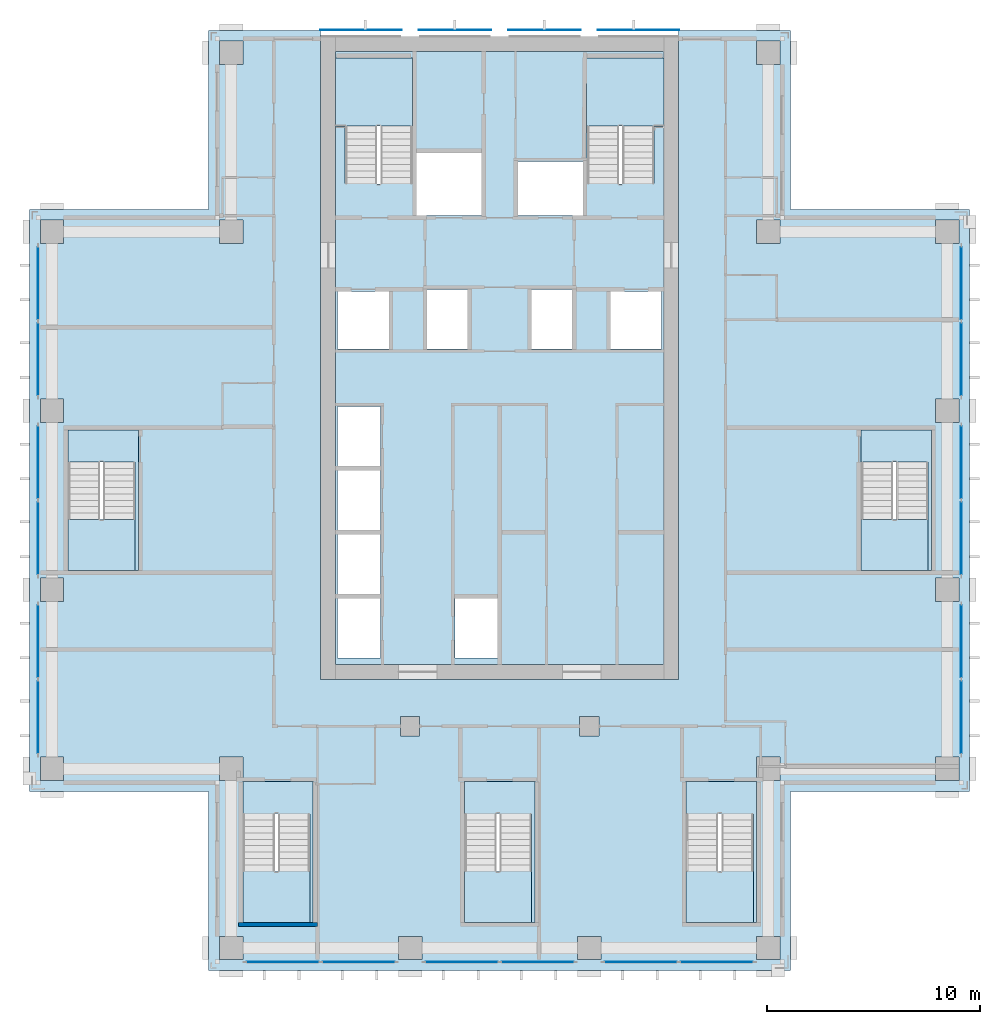
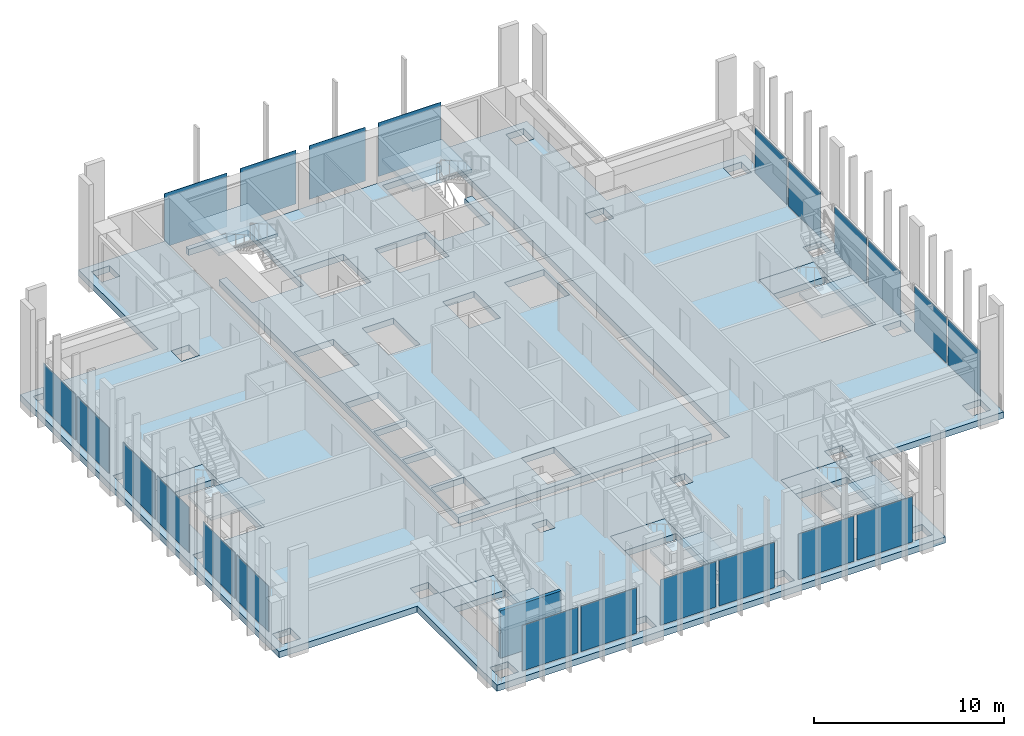
# One storey, part 8 of 16: 22 plates, 14 slabs, 1 wall, 16 elements without a shape of their own.
"""IFC4 building model written with IfcOpenShell, lengths in metres."""

from ifc_helpers import new_model, si_unit, direction, frame, frame_2d, origin, origin_2d, place, context, subcontext, project, spatial, polyline, rectangle, outline, extrude, material, layer, layer_set, type_object, element, aggregate, save


model = new_model("IFC4")

# Units and contexts
model_context = context("Model", 3, precision=1e-05, world=origin(), true_north=direction((0.0, 1.0)))
body_context = subcontext(model_context, "Body", "Model", "MODEL_VIEW")
ifc_project = project(units=[si_unit("LENGTHUNIT", "METRE"), si_unit("AREAUNIT", "SQUARE_METRE"), si_unit("VOLUMEUNIT", "CUBIC_METRE"), si_unit("PLANEANGLEUNIT", "RADIAN"), si_unit("MASSUNIT", "GRAM", prefix="KILO")], contexts=[model_context])

# Site, building, storey
site_placement = place(None, origin())
site = spatial("IfcSite", under=ifc_project, at=site_placement, CompositionType="ELEMENT")
building_placement = place(site_placement, origin())
building = spatial("IfcBuilding", under=site, at=building_placement, Name="Vermilion Ogive Tower", CompositionType="ELEMENT")
storey_placement = place(building_placement, frame((0.0, 0.0, 143.449951171875)))
storey = spatial("IfcBuildingStorey", under=building, at=storey_placement, Name="L36", CompositionType="ELEMENT", Elevation=143.449951171875)

# Curtain wall, plates
ifc_material_1 = material(Name="Low-iron laminated glazing in aluminium frame", Category="aluminium")
curtain_wall_type = type_object("IfcCurtainWallType", Name="Curtain wall CW7", PredefinedType="NOTDEFINED", material=ifc_material_1)
curtain_wall_1_placement = place(storey_placement, origin())
curtain_wall_1 = element("IfcCurtainWall", 1, at=curtain_wall_1_placement, inside=storey, type_object=curtain_wall_type, Name="Glazed skin S1", PredefinedType="NOTDEFINED")
ifc_material_2 = material(Name="Low-iron laminated glazing in aluminium frame", Category="aluminium")
ifc_layer_1 = layer(ifc_material_2, 0.031982421875)
ifc_layer_set_1 = layer_set([ifc_layer_1], Name="CW7 glazing panel 32")
plate_type_1 = type_object("IfcPlateType", Name="CW7 glazing panel 32", PredefinedType="CURTAIN_PANEL", material=ifc_layer_set_1)
plate_1_placement = place(storey_placement, frame((-10.179931640625, -21.64990234375, 0.06005859375), z_axis=(0.0, 0.0, 1.0), x_axis=(1.0, 0.0, 0.0)))
plate_1 = element("IfcPlate", 2, at=plate_1_placement, type_object=plate_type_1, Name="CW7-S1 panel 1.1", PredefinedType="CURTAIN_PANEL", context=body_context, shape_type="SweptSolid", body=[
    extrude(rectangle(XDim=3.3798828125, YDim=0.031982421875, at=origin_2d()), origin(), (0.0, 0.0, 1.0), 2.929931640625),
])
plate_2_placement = place(storey_placement, frame((-6.6201171875, -21.64990234375, 0.06005859375), z_axis=(0.0, 0.0, 1.0), x_axis=(1.0, 0.0, 0.0)))
plate_2 = element("IfcPlate", 3, at=plate_2_placement, type_object=plate_type_1, Name="CW7-S1 panel 2.1", PredefinedType="CURTAIN_PANEL", context=body_context, shape_type="SweptSolid", body=[
    extrude(rectangle(XDim=3.3798828125, YDim=0.031982421875, at=origin_2d()), origin(), (0.0, 0.0, 1.0), 2.929931640625),
])
aggregate(curtain_wall_1, [plate_1, plate_2])

curtain_wall_2_placement = place(storey_placement, origin())
curtain_wall_2 = element("IfcCurtainWall", 4, at=curtain_wall_2_placement, inside=storey, type_object=curtain_wall_type, Name="Glazed skin S2", PredefinedType="NOTDEFINED")
plate_3_placement = place(storey_placement, frame((-1.780029296875, -21.64990234375, 0.06005859375), z_axis=(0.0, 0.0, 1.0), x_axis=(1.0, 0.0, 0.0)))
plate_3 = element("IfcPlate", 5, at=plate_3_placement, type_object=plate_type_1, Name="CW7-S2 panel 1.1", PredefinedType="CURTAIN_PANEL", context=body_context, shape_type="SweptSolid", body=[
    extrude(rectangle(XDim=3.3798828125, YDim=0.031982421875, at=origin_2d()), origin(), (0.0, 0.0, 1.0), 2.929931640625),
])
plate_4_placement = place(storey_placement, frame((1.780029296875, -21.64990234375, 0.06005859375), z_axis=(0.0, 0.0, 1.0), x_axis=(1.0, 0.0, 0.0)))
plate_4 = element("IfcPlate", 6, at=plate_4_placement, type_object=plate_type_1, Name="CW7-S2 panel 2.1", PredefinedType="CURTAIN_PANEL", context=body_context, shape_type="SweptSolid", body=[
    extrude(rectangle(XDim=3.3798828125, YDim=0.031982421875, at=origin_2d()), origin(), (0.0, 0.0, 1.0), 2.929931640625),
])
aggregate(curtain_wall_2, [plate_3, plate_4])

curtain_wall_3_placement = place(storey_placement, origin())
curtain_wall_3 = element("IfcCurtainWall", 7, at=curtain_wall_3_placement, inside=storey, type_object=curtain_wall_type, Name="Glazed skin S3", PredefinedType="NOTDEFINED")
plate_5_placement = place(storey_placement, frame((6.6201171875, -21.64990234375, 0.06005859375), z_axis=(0.0, 0.0, 1.0), x_axis=(1.0, 0.0, 0.0)))
plate_5 = element("IfcPlate", 8, at=plate_5_placement, type_object=plate_type_1, Name="CW7-S3 panel 1.1", PredefinedType="CURTAIN_PANEL", context=body_context, shape_type="SweptSolid", body=[
    extrude(rectangle(XDim=3.3798828125, YDim=0.031982421875, at=origin_2d()), origin(), (0.0, 0.0, 1.0), 2.929931640625),
])
plate_6_placement = place(storey_placement, frame((10.179931640625, -21.64990234375, 0.06005859375), z_axis=(0.0, 0.0, 1.0), x_axis=(1.0, 0.0, 0.0)))
plate_6 = element("IfcPlate", 9, at=plate_6_placement, type_object=plate_type_1, Name="CW7-S3 panel 2.1", PredefinedType="CURTAIN_PANEL", context=body_context, shape_type="SweptSolid", body=[
    extrude(rectangle(XDim=3.3798828125, YDim=0.031982421875, at=origin_2d()), origin(), (0.0, 0.0, 1.0), 2.929931640625),
])
aggregate(curtain_wall_3, [plate_5, plate_6])

curtain_wall_4_placement = place(storey_placement, origin())
curtain_wall_4 = element("IfcCurtainWall", 10, at=curtain_wall_4_placement, inside=storey, type_object=curtain_wall_type, Name="Glazed skin E1", PredefinedType="NOTDEFINED")
plate_7_placement = place(storey_placement, frame((21.64990234375, -10.179931640625, 0.06005859375), z_axis=(0.0, 0.0, 1.0), x_axis=(0.0, 1.0, 0.0)))
plate_7 = element("IfcPlate", 11, at=plate_7_placement, type_object=plate_type_1, Name="CW7-E1 panel 1.1", PredefinedType="CURTAIN_PANEL", context=body_context, shape_type="SweptSolid", body=[
    extrude(rectangle(XDim=3.3798828125, YDim=0.031982421875, at=origin_2d()), origin(), (0.0, 0.0, 1.0), 2.929931640625),
])
plate_8_placement = place(storey_placement, frame((21.64990234375, -6.6201171875, 0.06005859375), z_axis=(0.0, 0.0, 1.0), x_axis=(0.0, 1.0, 0.0)))
plate_8 = element("IfcPlate", 12, at=plate_8_placement, type_object=plate_type_1, Name="CW7-E1 panel 2.1", PredefinedType="CURTAIN_PANEL", context=body_context, shape_type="SweptSolid", body=[
    extrude(rectangle(XDim=3.3798828125, YDim=0.031982421875, at=origin_2d()), origin(), (0.0, 0.0, 1.0), 2.929931640625),
])
aggregate(curtain_wall_4, [plate_7, plate_8])

curtain_wall_5_placement = place(storey_placement, origin())
curtain_wall_5 = element("IfcCurtainWall", 13, at=curtain_wall_5_placement, inside=storey, type_object=curtain_wall_type, Name="Glazed skin E2", PredefinedType="NOTDEFINED")
plate_9_placement = place(storey_placement, frame((21.64990234375, -1.780029296875, 0.06005859375), z_axis=(0.0, 0.0, 1.0), x_axis=(0.0, 1.0, 0.0)))
plate_9 = element("IfcPlate", 14, at=plate_9_placement, type_object=plate_type_1, Name="CW7-E2 panel 1.1", PredefinedType="CURTAIN_PANEL", context=body_context, shape_type="SweptSolid", body=[
    extrude(rectangle(XDim=3.3798828125, YDim=0.031982421875, at=origin_2d()), origin(), (0.0, 0.0, 1.0), 2.929931640625),
])
plate_10_placement = place(storey_placement, frame((21.64990234375, 1.780029296875, 0.06005859375), z_axis=(0.0, 0.0, 1.0), x_axis=(0.0, 1.0, 0.0)))
plate_10 = element("IfcPlate", 15, at=plate_10_placement, type_object=plate_type_1, Name="CW7-E2 panel 2.1", PredefinedType="CURTAIN_PANEL", context=body_context, shape_type="SweptSolid", body=[
    extrude(rectangle(XDim=3.3798828125, YDim=0.031982421875, at=origin_2d()), origin(), (0.0, 0.0, 1.0), 2.929931640625),
])
aggregate(curtain_wall_5, [plate_9, plate_10])

curtain_wall_6_placement = place(storey_placement, origin())
curtain_wall_6 = element("IfcCurtainWall", 16, at=curtain_wall_6_placement, inside=storey, type_object=curtain_wall_type, Name="Glazed skin E3", PredefinedType="NOTDEFINED")
plate_11_placement = place(storey_placement, frame((21.64990234375, 6.6201171875, 0.06005859375), z_axis=(0.0, 0.0, 1.0), x_axis=(0.0, 1.0, 0.0)))
plate_11 = element("IfcPlate", 17, at=plate_11_placement, type_object=plate_type_1, Name="CW7-E3 panel 1.1", PredefinedType="CURTAIN_PANEL", context=body_context, shape_type="SweptSolid", body=[
    extrude(rectangle(XDim=3.3798828125, YDim=0.031982421875, at=origin_2d()), origin(), (0.0, 0.0, 1.0), 2.929931640625),
])
plate_12_placement = place(storey_placement, frame((21.64990234375, 10.179931640625, 0.06005859375), z_axis=(0.0, 0.0, 1.0), x_axis=(0.0, 1.0, 0.0)))
plate_12 = element("IfcPlate", 18, at=plate_12_placement, type_object=plate_type_1, Name="CW7-E3 panel 2.1", PredefinedType="CURTAIN_PANEL", context=body_context, shape_type="SweptSolid", body=[
    extrude(rectangle(XDim=3.3798828125, YDim=0.031982421875, at=origin_2d()), origin(), (0.0, 0.0, 1.0), 2.929931640625),
])
aggregate(curtain_wall_6, [plate_11, plate_12])

curtain_wall_7_placement = place(storey_placement, origin())
curtain_wall_7 = element("IfcCurtainWall", 19, at=curtain_wall_7_placement, inside=storey, type_object=curtain_wall_type, Name="Glazed skin W1", PredefinedType="NOTDEFINED")
plate_13_placement = place(storey_placement, frame((-21.64990234375, 10.179931640625, 0.06005859375), z_axis=(0.0, 0.0, 1.0), x_axis=(0.0, -1.0, 0.0)))
plate_13 = element("IfcPlate", 20, at=plate_13_placement, type_object=plate_type_1, Name="CW7-W1 panel 1.1", PredefinedType="CURTAIN_PANEL", context=body_context, shape_type="SweptSolid", body=[
    extrude(rectangle(XDim=3.3798828125, YDim=0.031982421875, at=origin_2d()), origin(), (0.0, 0.0, 1.0), 2.929931640625),
])
plate_14_placement = place(storey_placement, frame((-21.64990234375, 6.6201171875, 0.06005859375), z_axis=(0.0, 0.0, 1.0), x_axis=(0.0, -1.0, 0.0)))
plate_14 = element("IfcPlate", 21, at=plate_14_placement, type_object=plate_type_1, Name="CW7-W1 panel 2.1", PredefinedType="CURTAIN_PANEL", context=body_context, shape_type="SweptSolid", body=[
    extrude(rectangle(XDim=3.3798828125, YDim=0.031982421875, at=origin_2d()), origin(), (0.0, 0.0, 1.0), 2.929931640625),
])
aggregate(curtain_wall_7, [plate_13, plate_14])

curtain_wall_8_placement = place(storey_placement, origin())
curtain_wall_8 = element("IfcCurtainWall", 22, at=curtain_wall_8_placement, inside=storey, type_object=curtain_wall_type, Name="Glazed skin W2", PredefinedType="NOTDEFINED")
plate_15_placement = place(storey_placement, frame((-21.64990234375, 1.780029296875, 0.06005859375), z_axis=(0.0, 0.0, 1.0), x_axis=(0.0, -1.0, 0.0)))
plate_15 = element("IfcPlate", 23, at=plate_15_placement, type_object=plate_type_1, Name="CW7-W2 panel 1.1", PredefinedType="CURTAIN_PANEL", context=body_context, shape_type="SweptSolid", body=[
    extrude(rectangle(XDim=3.3798828125, YDim=0.031982421875, at=origin_2d()), origin(), (0.0, 0.0, 1.0), 2.929931640625),
])
plate_16_placement = place(storey_placement, frame((-21.64990234375, -1.780029296875, 0.06005859375), z_axis=(0.0, 0.0, 1.0), x_axis=(0.0, -1.0, 0.0)))
plate_16 = element("IfcPlate", 24, at=plate_16_placement, type_object=plate_type_1, Name="CW7-W2 panel 2.1", PredefinedType="CURTAIN_PANEL", context=body_context, shape_type="SweptSolid", body=[
    extrude(rectangle(XDim=3.3798828125, YDim=0.031982421875, at=origin_2d()), origin(), (0.0, 0.0, 1.0), 2.929931640625),
])
aggregate(curtain_wall_8, [plate_15, plate_16])

curtain_wall_9_placement = place(storey_placement, origin())
curtain_wall_9 = element("IfcCurtainWall", 25, at=curtain_wall_9_placement, inside=storey, type_object=curtain_wall_type, Name="Glazed skin W3", PredefinedType="NOTDEFINED")
plate_17_placement = place(storey_placement, frame((-21.64990234375, -6.6201171875, 0.06005859375), z_axis=(0.0, 0.0, 1.0), x_axis=(0.0, -1.0, 0.0)))
plate_17 = element("IfcPlate", 26, at=plate_17_placement, type_object=plate_type_1, Name="CW7-W3 panel 1.1", PredefinedType="CURTAIN_PANEL", context=body_context, shape_type="SweptSolid", body=[
    extrude(rectangle(XDim=3.3798828125, YDim=0.031982421875, at=origin_2d()), origin(), (0.0, 0.0, 1.0), 2.929931640625),
])
plate_18_placement = place(storey_placement, frame((-21.64990234375, -10.179931640625, 0.06005859375), z_axis=(0.0, 0.0, 1.0), x_axis=(0.0, -1.0, 0.0)))
plate_18 = element("IfcPlate", 27, at=plate_18_placement, type_object=plate_type_1, Name="CW7-W3 panel 2.1", PredefinedType="CURTAIN_PANEL", context=body_context, shape_type="SweptSolid", body=[
    extrude(rectangle(XDim=3.3798828125, YDim=0.031982421875, at=origin_2d()), origin(), (0.0, 0.0, 1.0), 2.929931640625),
])
aggregate(curtain_wall_9, [plate_17, plate_18])

# Slabs
ifc_material_3 = material(Name="Concrete B40", Category="concrete")
ifc_layer_2 = layer(ifc_material_3, 0.39990234375)
ifc_layer_set_2 = layer_set([ifc_layer_2], Name="Core floor slab 400 B40")
slab_type_1 = type_object("IfcSlabType", Name="Core floor slab 400 B40", PredefinedType="FLOOR", material=ifc_layer_set_2)
slab_1_placement = place(storey_placement, frame((0.0, 0.0, -0.39990234375)))
element("IfcSlab", 28, at=slab_1_placement, inside=storey, type_object=slab_type_1, Name="L36-CK-FS1", PredefinedType="FLOOR", context=body_context, shape_type="SweptSolid", body=[
    extrude(outline(polyline([(5.75, 14.85009765625), (5.60009765625, 14.85009765625), (5.60009765625, 14.85205078125), (4.10009765625, 14.85205078125), (4.10009765625, 17.550048828125), (4.074951171875, 17.550048828125), (4.074951171875, 20.75), (7.696044921875, 20.75), (7.696044921875, 21.0458984375), (-7.696044921875, 21.0458984375), (-7.696044921875, 20.75), (-4.10009765625, 20.75), (-4.10009765625, 14.85205078125), (-5.60009765625, 14.85205078125), (-5.60009765625, 14.85009765625), (-5.75, 14.85009765625), (-5.75, 14.85205078125), (-7.25, 14.85205078125), (-7.25, 17.550048828125), (-7.696044921875, 17.550048828125), (-7.696044921875, -7.696044921875), (7.696044921875, -7.696044921875), (7.696044921875, 17.550048828125), (7.25, 17.550048828125), (7.25, 14.85205078125), (5.75, 14.85205078125), (5.75, 14.85009765625)]), holes=[polyline([(-7.60009765625, -7.39990234375), (-7.60009765625, -4.60009765625), (-5.60009765625, -4.60009765625), (-5.60009765625, -7.39990234375), (-7.60009765625, -7.39990234375)]), polyline([(-7.60009765625, -4.39990234375), (-7.60009765625, -1.60009765625), (-5.60009765625, -1.60009765625), (-5.60009765625, -4.39990234375), (-7.60009765625, -4.39990234375)]), polyline([(-7.60009765625, -1.39990234375), (-7.60009765625, 1.39990234375), (-5.60009765625, 1.39990234375), (-5.60009765625, -1.39990234375), (-7.60009765625, -1.39990234375)]), polyline([(-7.60009765625, 1.60009765625), (-7.60009765625, 4.39990234375), (-5.60009765625, 4.39990234375), (-5.60009765625, 1.60009765625), (-7.60009765625, 1.60009765625)]), polyline([(-7.60009765625, 7.10009765625), (-7.60009765625, 9.800048828125), (-5.199951171875, 9.800048828125), (-5.199951171875, 7.10009765625), (-7.60009765625, 7.10009765625)]), polyline([(-3.39990234375, 9.89990234375), (-1.5, 9.89990234375), (-1.5, 7.10009765625), (-3.39990234375, 7.10009765625), (-3.39990234375, 9.89990234375)]), polyline([(-2.10009765625, -7.39990234375), (-2.10009765625, -4.60009765625), (-0.10009765625, -4.60009765625), (-0.10009765625, -7.39990234375), (-2.10009765625, -7.39990234375)]), polyline([(5.199951171875, 7.10009765625), (5.199951171875, 9.800048828125), (7.60009765625, 9.800048828125), (7.60009765625, 7.10009765625), (5.199951171875, 7.10009765625)]), polyline([(1.5, 7.10009765625), (1.5, 9.89990234375), (3.39990234375, 9.89990234375), (3.39990234375, 7.10009765625), (1.5, 7.10009765625)]), polyline([(0.85009765625, 13.35009765625), (0.85009765625, 15.89990234375), (3.89990234375, 15.89990234375), (3.89990234375, 13.35009765625), (0.85009765625, 13.35009765625)]), polyline([(-3.89990234375, 16.300048828125), (-0.85009765625, 16.300048828125), (-0.85009765625, 13.35009765625), (-3.89990234375, 13.35009765625), (-3.89990234375, 16.300048828125)])]), origin(), (0.0, 0.0, 1.0), 0.39990234375),
])
slab_2_placement = place(storey_placement, frame((0.0, 0.0, -0.39990234375)))
element("IfcSlab", 29, at=slab_2_placement, inside=storey, type_object=slab_type_1, Name="L36-SF-ST3-1", PredefinedType="FLOOR", context=body_context, shape_type="SweptSolid", body=[
    extrude(outline(polyline([(-12.050048828125, -13.199951171875), (-12.050048828125, -14.701904296875), (-10.550048828125, -14.701904296875), (-10.550048828125, -14.699951171875), (-10.39990234375, -14.699951171875), (-10.39990234375, -14.701904296875), (-8.89990234375, -14.701904296875), (-8.89990234375, -19.800048828125), (-8.75, -19.800048828125), (-8.75, -13.199951171875), (-12.050048828125, -13.199951171875)])), origin(), (0.0, 0.0, 1.0), 0.39990234375),
])
slab_3_placement = place(storey_placement, frame((0.0, 0.0, -0.39990234375)))
element("IfcSlab", 30, at=slab_3_placement, inside=storey, type_object=slab_type_1, Name="L36-SF-ST4-1", PredefinedType="FLOOR", context=body_context, shape_type="SweptSolid", body=[
    extrude(outline(polyline([(-1.64990234375, -13.199951171875), (-1.64990234375, -14.701904296875), (-0.14990234375, -14.701904296875), (-0.14990234375, -14.699951171875), (0.0, -14.699951171875), (0.0, -14.701904296875), (1.5, -14.701904296875), (1.5, -19.800048828125), (1.64990234375, -19.800048828125), (1.64990234375, -13.199951171875), (-1.64990234375, -13.199951171875)])), origin(), (0.0, 0.0, 1.0), 0.39990234375),
])
slab_4_placement = place(storey_placement, frame((0.0, 0.0, -0.39990234375)))
element("IfcSlab", 31, at=slab_4_placement, inside=storey, type_object=slab_type_1, Name="L36-SF-ST5-1", PredefinedType="FLOOR", context=body_context, shape_type="SweptSolid", body=[
    extrude(outline(polyline([(8.75, -13.199951171875), (8.75, -14.701904296875), (10.25, -14.701904296875), (10.25, -14.699951171875), (10.39990234375, -14.699951171875), (10.39990234375, -14.701904296875), (11.89990234375, -14.701904296875), (11.89990234375, -19.800048828125), (12.050048828125, -19.800048828125), (12.050048828125, -13.199951171875), (8.75, -13.199951171875)])), origin(), (0.0, 0.0, 1.0), 0.39990234375),
])
slab_5_placement = place(storey_placement, frame((0.0, 0.0, -0.39990234375)))
element("IfcSlab", 32, at=slab_5_placement, inside=storey, type_object=slab_type_1, Name="L36-SF-ST8-1", PredefinedType="FLOOR", context=body_context, shape_type="SweptSolid", body=[
    extrude(outline(polyline([(16.949951171875, 3.300048828125), (16.949951171875, 1.798095703125), (18.449951171875, 1.798095703125), (18.449951171875, 1.800048828125), (18.60009765625, 1.800048828125), (18.60009765625, 1.798095703125), (20.10009765625, 1.798095703125), (20.10009765625, -3.300048828125), (20.25, -3.300048828125), (20.25, 3.300048828125), (16.949951171875, 3.300048828125)])), origin(), (0.0, 0.0, 1.0), 0.39990234375),
])
slab_6_placement = place(storey_placement, frame((0.0, 0.0, -0.39990234375)))
element("IfcSlab", 33, at=slab_6_placement, inside=storey, type_object=slab_type_1, Name="L36-SF-ST9-1", PredefinedType="FLOOR", context=body_context, shape_type="SweptSolid", body=[
    extrude(outline(polyline([(-20.25, 3.300048828125), (-20.25, 1.798095703125), (-18.75, 1.798095703125), (-18.75, 1.800048828125), (-18.60009765625, 1.800048828125), (-18.60009765625, 1.798095703125), (-17.10009765625, 1.798095703125), (-17.10009765625, -3.300048828125), (-16.949951171875, -3.300048828125), (-16.949951171875, 3.300048828125), (-20.25, 3.300048828125)])), origin(), (0.0, 0.0, 1.0), 0.39990234375),
])

# Plates
ifc_material_4 = material(Name="Low-iron laminated glazing in aluminium frame", Category="aluminium")
ifc_layer_3 = layer(ifc_material_4, 0.031982421875)
ifc_layer_set_3 = layer_set([ifc_layer_3], Name="Glazed rainscreen sheet 32")
plate_type_2 = type_object("IfcPlateType", Name="Glazed rainscreen sheet 32", PredefinedType="SHEET", material=ifc_layer_set_3)
plate_19_placement = place(storey_placement, frame((-6.510009765625, 22.06591796875, -0.39990234375), z_axis=(0.0, 0.0, 1.0), x_axis=(1.0, 0.0, 0.0)))
element("IfcPlate", 34, at=plate_19_placement, inside=storey, type_object=plate_type_2, Name="Glazed rainscreen sheet N1", PredefinedType="SHEET", context=body_context, shape_type="SweptSolid", body=[
    extrude(rectangle(XDim=3.820068359375, YDim=0.031982421875, at=origin_2d()), origin(), (0.0, 0.0, 1.0), 3.449951171875),
])
for number, where, z_axis, x_axis, name in (
    (35, (-2.10009765625, 22.06591796875, -0.39990234375), (0.0, 0.0, 1.0), (1.0, 0.0, 0.0), "Glazed rainscreen sheet N2"),
    (36, (2.10009765625, 22.06591796875, -0.39990234375), (0.0, 0.0, 1.0), (1.0, 0.0, 0.0), "Glazed rainscreen sheet N3"),
):
    element("IfcPlate", number, at=place(storey_placement, frame(where, z_axis=z_axis, x_axis=x_axis)), inside=storey, type_object=plate_type_2, Name=name, PredefinedType="SHEET", context=body_context, shape_type="SweptSolid", body=[
        extrude(rectangle(XDim=3.39990234375, YDim=0.031982421875, at=origin_2d()), origin(), (0.0, 0.0, 1.0), 3.449951171875),
    ])
plate_20_placement = place(storey_placement, frame((6.510009765625, 22.06591796875, -0.39990234375), z_axis=(0.0, 0.0, 1.0), x_axis=(1.0, 0.0, 0.0)))
element("IfcPlate", 37, at=plate_20_placement, inside=storey, type_object=plate_type_2, Name="Glazed rainscreen sheet N4", PredefinedType="SHEET", context=body_context, shape_type="SweptSolid", body=[
    extrude(rectangle(XDim=3.820068359375, YDim=0.031982421875, at=origin_2d()), origin(), (0.0, 0.0, 1.0), 3.449951171875),
])

# Slab
ifc_material_5 = material(Name="Concrete B45", Category="concrete")
ifc_layer_4 = layer(ifc_material_5, 0.39990234375)
ifc_layer_set_4 = layer_set([ifc_layer_4], Name="Post-tensioned flat plate 400 B45")
slab_type_2 = type_object("IfcSlabType", Name="Post-tensioned flat plate 400 B45", PredefinedType="FLOOR", material=ifc_layer_set_4)
slab_7_placement = place(storey_placement, frame((0.0, 0.0, -0.39990234375)))
element("IfcSlab", 38, at=slab_7_placement, inside=storey, type_object=slab_type_2, Name="L36-SL-1", PredefinedType="FLOOR", context=body_context, shape_type="SweptSolid", body=[
    extrude(outline(polyline([(-13.64990234375, -13.64990234375), (-22.050048828125, -13.64990234375), (-22.050048828125, 13.64990234375), (-13.64990234375, 13.64990234375), (-13.64990234375, 22.050048828125), (-8.39990234375, 22.050048828125), (-8.39990234375, -8.39990234375), (8.39990234375, -8.39990234375), (8.39990234375, 22.050048828125), (13.64990234375, 22.050048828125), (13.64990234375, 13.64990234375), (22.050048828125, 13.64990234375), (22.050048828125, -13.64990234375), (13.64990234375, -13.64990234375), (13.64990234375, -22.050048828125), (-13.64990234375, -22.050048828125), (-13.64990234375, -13.64990234375)]), holes=[polyline([(21.550048828125, 12.050048828125), (21.550048828125, 13.14990234375), (20.449951171875, 13.14990234375), (20.449951171875, 12.050048828125), (21.550048828125, 12.050048828125)]), polyline([(21.550048828125, 3.64990234375), (21.550048828125, 4.75), (20.449951171875, 4.75), (20.449951171875, 3.64990234375), (21.550048828125, 3.64990234375)]), polyline([(21.550048828125, -4.75), (21.550048828125, -3.64990234375), (20.449951171875, -3.64990234375), (20.449951171875, -4.75), (21.550048828125, -4.75)]), polyline([(21.550048828125, -13.14990234375), (21.550048828125, -12.050048828125), (20.449951171875, -12.050048828125), (20.449951171875, -13.14990234375), (21.550048828125, -13.14990234375)]), polyline([(20.25, -3.300048828125), (20.25, 3.300048828125), (16.949951171875, 3.300048828125), (16.949951171875, -3.300048828125), (20.25, -3.300048828125)]), polyline([(13.14990234375, 20.449951171875), (13.14990234375, 21.550048828125), (12.050048828125, 21.550048828125), (12.050048828125, 20.449951171875), (13.14990234375, 20.449951171875)]), polyline([(13.14990234375, 12.050048828125), (13.14990234375, 13.14990234375), (12.050048828125, 13.14990234375), (12.050048828125, 12.050048828125), (13.14990234375, 12.050048828125)]), polyline([(13.14990234375, -13.14990234375), (13.14990234375, -12.050048828125), (12.050048828125, -12.050048828125), (12.050048828125, -13.14990234375), (13.14990234375, -13.14990234375)]), polyline([(13.14990234375, -21.550048828125), (13.14990234375, -20.449951171875), (12.050048828125, -20.449951171875), (12.050048828125, -21.550048828125), (13.14990234375, -21.550048828125)]), polyline([(12.050048828125, -19.800048828125), (12.050048828125, -13.199951171875), (8.75, -13.199951171875), (8.75, -19.800048828125), (12.050048828125, -19.800048828125)]), polyline([(4.75, -20.449951171875), (3.64990234375, -20.449951171875), (3.64990234375, -21.550048828125), (4.75, -21.550048828125), (4.75, -20.449951171875)]), polyline([(4.64990234375, -11.050048828125), (4.64990234375, -10.14990234375), (3.75, -10.14990234375), (3.75, -11.050048828125), (4.64990234375, -11.050048828125)]), polyline([(1.64990234375, -19.800048828125), (1.64990234375, -13.199951171875), (-1.64990234375, -13.199951171875), (-1.64990234375, -19.800048828125), (1.64990234375, -19.800048828125)]), polyline([(-3.64990234375, -21.550048828125), (-3.64990234375, -20.449951171875), (-4.75, -20.449951171875), (-4.75, -21.550048828125), (-3.64990234375, -21.550048828125)]), polyline([(-3.75, -11.050048828125), (-3.75, -10.14990234375), (-4.64990234375, -10.14990234375), (-4.64990234375, -11.050048828125), (-3.75, -11.050048828125)]), polyline([(-8.75, -19.800048828125), (-8.75, -13.199951171875), (-12.050048828125, -13.199951171875), (-12.050048828125, -19.800048828125), (-8.75, -19.800048828125)]), polyline([(-12.050048828125, 20.449951171875), (-12.050048828125, 21.550048828125), (-13.14990234375, 21.550048828125), (-13.14990234375, 20.449951171875), (-12.050048828125, 20.449951171875)]), polyline([(-12.050048828125, 12.050048828125), (-12.050048828125, 13.14990234375), (-13.14990234375, 13.14990234375), (-13.14990234375, 12.050048828125), (-12.050048828125, 12.050048828125)]), polyline([(-12.050048828125, -13.14990234375), (-12.050048828125, -12.050048828125), (-13.14990234375, -12.050048828125), (-13.14990234375, -13.14990234375), (-12.050048828125, -13.14990234375)]), polyline([(-12.050048828125, -20.449951171875), (-13.14990234375, -20.449951171875), (-13.14990234375, -21.550048828125), (-12.050048828125, -21.550048828125), (-12.050048828125, -20.449951171875)]), polyline([(-16.949951171875, -3.300048828125), (-16.949951171875, 3.300048828125), (-20.25, 3.300048828125), (-20.25, -3.300048828125), (-16.949951171875, -3.300048828125)]), polyline([(-20.449951171875, -13.14990234375), (-20.449951171875, -12.050048828125), (-21.550048828125, -12.050048828125), (-21.550048828125, -13.14990234375), (-20.449951171875, -13.14990234375)]), polyline([(-20.449951171875, 12.050048828125), (-20.449951171875, 13.14990234375), (-21.550048828125, 13.14990234375), (-21.550048828125, 12.050048828125), (-20.449951171875, 12.050048828125)]), polyline([(-20.449951171875, 3.64990234375), (-20.449951171875, 4.75), (-21.550048828125, 4.75), (-21.550048828125, 3.64990234375), (-20.449951171875, 3.64990234375)]), polyline([(-20.449951171875, -4.75), (-20.449951171875, -3.64990234375), (-21.550048828125, -3.64990234375), (-21.550048828125, -4.75), (-20.449951171875, -4.75)])]), origin(), (0.0, 0.0, 1.0), 0.39990234375),
])

# Stair, slab
ifc_material_6 = material(Name="Concrete B40", Category="concrete")
stair_type = type_object("IfcStairType", Name="Exit stair 1500", PredefinedType="HALF_TURN_STAIR", material=ifc_material_6)
stair_1_placement = place(storey_placement, origin())
stair_1 = element("IfcStair", 39, at=stair_1_placement, inside=storey, type_object=stair_type, Name="L36 Exit Stair ST1", PredefinedType="HALF_TURN_STAIR")
ifc_material_7 = material(Name="Concrete B40", Category="concrete")
ifc_layer_5 = layer(ifc_material_7, 0.199951171875)
ifc_layer_set_5 = layer_set([ifc_layer_5], Name="Stair landing 200")
slab_type_3 = type_object("IfcSlabType", Name="Stair landing 200", PredefinedType="LANDING", material=ifc_layer_set_5)
slab_8_placement = place(storey_placement, frame((0.0, 0.0, 1.525146484375)))
slab_8 = element("IfcSlab", 40, at=slab_8_placement, type_object=slab_type_3, Name="ST1 landing 1", PredefinedType="LANDING", context=body_context, shape_type="SweptSolid", body=[
    extrude(outline(polyline([(-7.699951171875, 17.550048828125), (-7.25, 17.550048828125), (-7.25, 17.548095703125), (-5.75, 17.548095703125), (-5.75, 17.550048828125), (-5.60009765625, 17.550048828125), (-5.60009765625, 17.548095703125), (-4.10009765625, 17.548095703125), (-4.10009765625, 20.75), (-7.699951171875, 20.75), (-7.699951171875, 17.550048828125)])), origin(), (0.0, 0.0, 1.0), 0.199951171875),
])
aggregate(stair_1, [slab_8])

stair_2_placement = place(storey_placement, origin())
stair_2 = element("IfcStair", 41, at=stair_2_placement, inside=storey, type_object=stair_type, Name="L36 Exit Stair ST2", PredefinedType="HALF_TURN_STAIR")
slab_9_placement = place(storey_placement, frame((0.0, 0.0, 1.525146484375)))
slab_9 = element("IfcSlab", 42, at=slab_9_placement, type_object=slab_type_3, Name="ST2 landing 1", PredefinedType="LANDING", context=body_context, shape_type="SweptSolid", body=[
    extrude(outline(polyline([(5.60009765625, 17.550048828125), (5.75, 17.550048828125), (5.75, 17.548095703125), (7.25, 17.548095703125), (7.25, 17.550048828125), (7.699951171875, 17.550048828125), (7.699951171875, 20.75), (4.074951171875, 20.75), (4.074951171875, 17.550048828125), (4.10009765625, 17.550048828125), (4.10009765625, 17.548095703125), (5.60009765625, 17.548095703125), (5.60009765625, 17.550048828125)])), origin(), (0.0, 0.0, 1.0), 0.199951171875),
])
aggregate(stair_2, [slab_9])

stair_3_placement = place(storey_placement, origin())
stair_3 = element("IfcStair", 43, at=stair_3_placement, inside=storey, type_object=stair_type, Name="L36 Exit Stair ST3", PredefinedType="HALF_TURN_STAIR")
slab_10_placement = place(storey_placement, frame((0.0, 0.0, 1.525146484375)))
slab_10 = element("IfcSlab", 44, at=slab_10_placement, type_object=slab_type_3, Name="ST3 landing 1", PredefinedType="LANDING", context=body_context, shape_type="SweptSolid", body=[
    extrude(outline(polyline([(-8.75, -17.39990234375), (-8.89990234375, -17.39990234375), (-8.89990234375, -17.39794921875), (-10.39990234375, -17.39794921875), (-10.39990234375, -17.39990234375), (-10.550048828125, -17.39990234375), (-10.550048828125, -17.39794921875), (-12.050048828125, -17.39794921875), (-12.050048828125, -17.402099609375), (-12.0498046875, -17.402099609375), (-12.0498046875, -19.7998046875), (-8.75, -19.7998046875), (-8.75, -17.39990234375)])), origin(), (0.0, 0.0, 1.0), 0.199951171875),
])
aggregate(stair_3, [slab_10])

stair_4_placement = place(storey_placement, origin())
stair_4 = element("IfcStair", 45, at=stair_4_placement, inside=storey, type_object=stair_type, Name="L36 Exit Stair ST4", PredefinedType="HALF_TURN_STAIR")
slab_11_placement = place(storey_placement, frame((0.0, 0.0, 1.525146484375)))
slab_11 = element("IfcSlab", 46, at=slab_11_placement, type_object=slab_type_3, Name="ST4 landing 1", PredefinedType="LANDING", context=body_context, shape_type="SweptSolid", body=[
    extrude(outline(polyline([(1.64990234375, -17.39990234375), (1.5, -17.39990234375), (1.5, -17.39794921875), (0.0, -17.39794921875), (0.0, -17.39990234375), (-0.14990234375, -17.39990234375), (-0.14990234375, -17.39794921875), (-1.64990234375, -17.39794921875), (-1.64990234375, -19.7998046875), (1.64990234375, -19.7998046875), (1.64990234375, -17.39990234375)])), origin(), (0.0, 0.0, 1.0), 0.199951171875),
])
aggregate(stair_4, [slab_11])

stair_5_placement = place(storey_placement, origin())
stair_5 = element("IfcStair", 47, at=stair_5_placement, inside=storey, type_object=stair_type, Name="L36 Exit Stair ST5", PredefinedType="HALF_TURN_STAIR")
slab_12_placement = place(storey_placement, frame((0.0, 0.0, 1.525146484375)))
slab_12 = element("IfcSlab", 48, at=slab_12_placement, type_object=slab_type_3, Name="ST5 landing 1", PredefinedType="LANDING", context=body_context, shape_type="SweptSolid", body=[
    extrude(outline(polyline([(12.0498046875, -17.39990234375), (11.89990234375, -17.39990234375), (11.89990234375, -17.39794921875), (10.39990234375, -17.39794921875), (10.39990234375, -17.39990234375), (10.25, -17.39990234375), (10.25, -17.39794921875), (8.75, -17.39794921875), (8.75, -17.39990234375), (8.75, -17.39990234375), (8.75, -19.7998046875), (12.0498046875, -19.7998046875), (12.0498046875, -17.39990234375)])), origin(), (0.0, 0.0, 1.0), 0.199951171875),
])
aggregate(stair_5, [slab_12])

stair_6_placement = place(storey_placement, origin())
stair_6 = element("IfcStair", 49, at=stair_6_placement, inside=storey, type_object=stair_type, Name="L36 Exit Stair ST8", PredefinedType="HALF_TURN_STAIR")
slab_13_placement = place(storey_placement, frame((0.0, 0.0, 1.525146484375)))
slab_13 = element("IfcSlab", 50, at=slab_13_placement, type_object=slab_type_3, Name="ST8 landing 1", PredefinedType="LANDING", context=body_context, shape_type="SweptSolid", body=[
    extrude(outline(polyline([(20.25, -0.89990234375), (20.10009765625, -0.89990234375), (20.10009765625, -0.89794921875), (18.60009765625, -0.89794921875), (18.60009765625, -0.89990234375), (18.449951171875, -0.89990234375), (18.449951171875, -0.89794921875), (16.949951171875, -0.89794921875), (16.949951171875, -0.902099609375), (16.9501953125, -0.902099609375), (16.9501953125, -3.2998046875), (20.25, -3.2998046875), (20.25, -0.89990234375)])), origin(), (0.0, 0.0, 1.0), 0.199951171875),
])
aggregate(stair_6, [slab_13])

stair_7_placement = place(storey_placement, origin())
stair_7 = element("IfcStair", 51, at=stair_7_placement, inside=storey, type_object=stair_type, Name="L36 Exit Stair ST9", PredefinedType="HALF_TURN_STAIR")
slab_14_placement = place(storey_placement, frame((0.0, 0.0, 1.525146484375)))
slab_14 = element("IfcSlab", 52, at=slab_14_placement, type_object=slab_type_3, Name="ST9 landing 1", PredefinedType="LANDING", context=body_context, shape_type="SweptSolid", body=[
    extrude(outline(polyline([(-16.9501953125, -0.89990234375), (-17.10009765625, -0.89990234375), (-17.10009765625, -0.89794921875), (-18.60009765625, -0.89794921875), (-18.60009765625, -0.89990234375), (-18.75, -0.89990234375), (-18.75, -0.89794921875), (-20.25, -0.89794921875), (-20.25, -0.89990234375), (-20.25, -0.89990234375), (-20.25, -3.2998046875), (-16.9501953125, -3.2998046875), (-16.9501953125, -0.89990234375)])), origin(), (0.0, 0.0, 1.0), 0.199951171875),
])
aggregate(stair_7, [slab_14])

# Wall
ifc_material_8 = material(Name="Concrete B60", Category="concrete")
ifc_layer_6 = layer(ifc_material_8, 0.199951171875)
ifc_layer_set_6 = layer_set([ifc_layer_6], Name="Stair shaft wall 200 Concrete B60")
wall_type = type_object("IfcWallType", Name="Stair shaft wall 200 Concrete B60", PredefinedType="SOLIDWALL", material=ifc_layer_set_6)
wall_placement = place(storey_placement, frame((-12.248046875, -19.89990234375, 0.0), z_axis=(0.0, 0.0, 1.0), x_axis=(1.0, 0.0, 0.0)))
element("IfcWall", 53, at=wall_placement, inside=storey, type_object=wall_type, Name="L36-W-W001-A", PredefinedType="SOLIDWALL", context=body_context, shape_type="SweptSolid", body=[
    extrude(rectangle(XDim=3.696044921875, YDim=0.199951171875, at=frame_2d((1.84814453125, 0.0))), origin(), (0.0, 0.0, 1.0), 3.050048828125),
])

save(model, "model.ifc")
